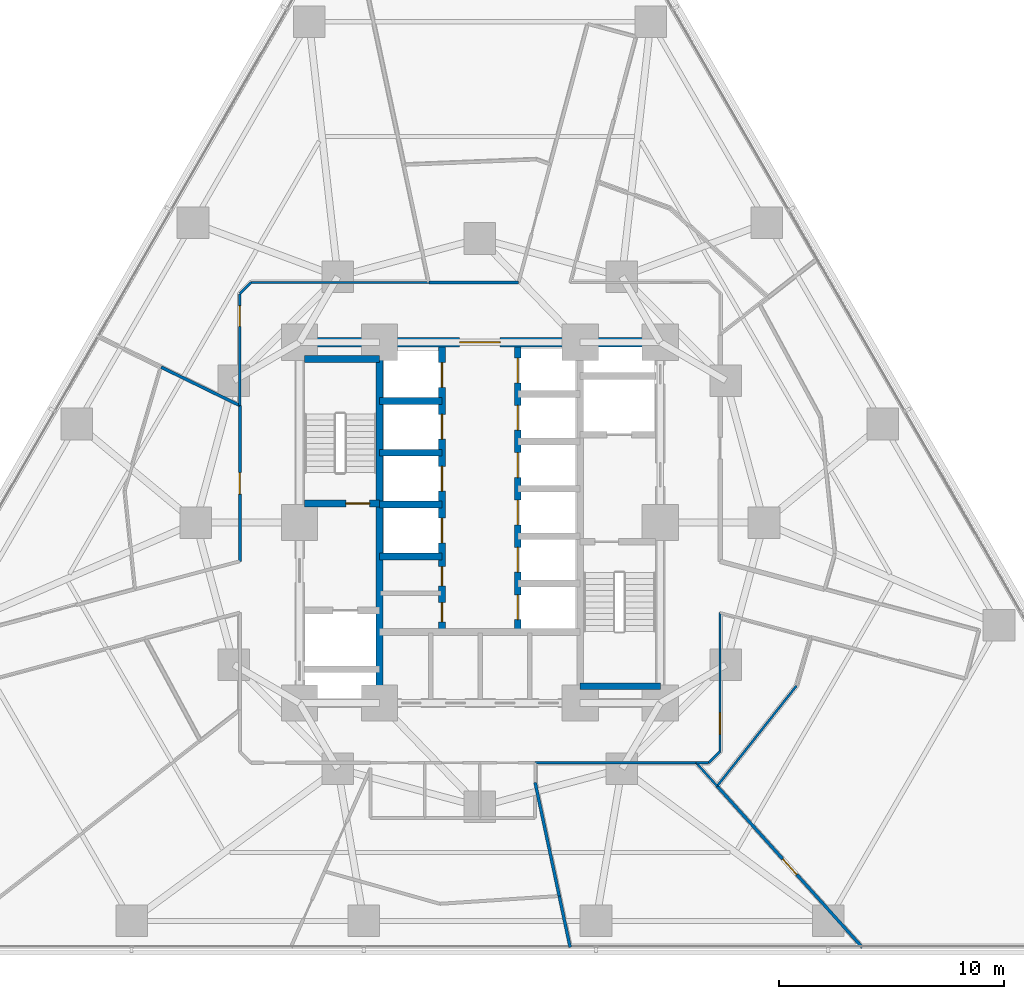
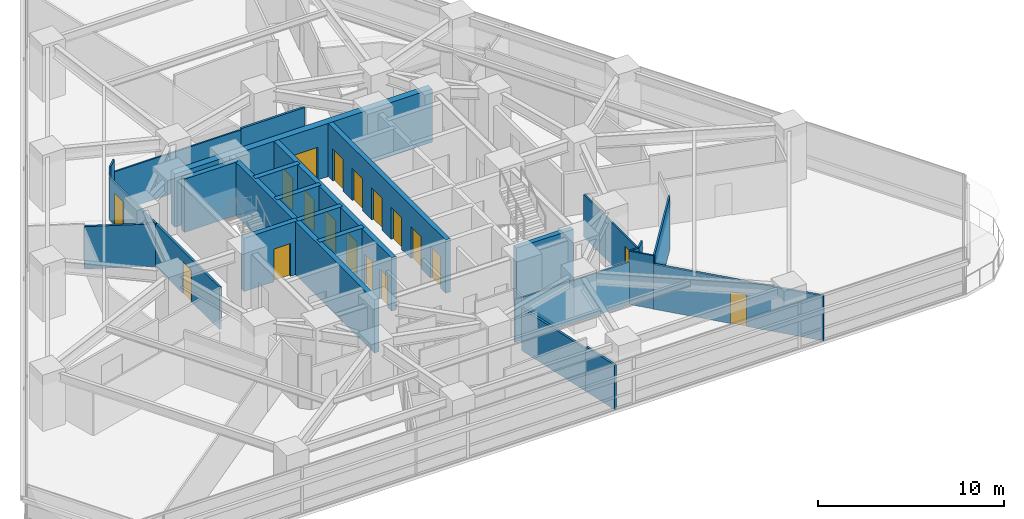
# One storey, part 9 of 15: 26 walls, 18 doors, 18 openings.
"""IFC4 building model written with IfcOpenShell, lengths in metres."""

from ifc_helpers import new_model, si_unit, direction, frame, frame_2d, origin, place, context, subcontext, project, spatial, rectangle, extrude, material, layer, layer_set, type_object, element, fill, save


model = new_model("IFC4")

# Units and contexts
model_context = context("Model", 3, precision=1e-05, world=origin(), true_north=direction((0.0, 1.0)))
body_context = subcontext(model_context, "Body", "Model", "MODEL_VIEW")
ifc_project = project(units=[si_unit("LENGTHUNIT", "METRE"), si_unit("AREAUNIT", "SQUARE_METRE"), si_unit("VOLUMEUNIT", "CUBIC_METRE"), si_unit("PLANEANGLEUNIT", "RADIAN"), si_unit("MASSUNIT", "GRAM", prefix="KILO")], contexts=[model_context])

# Site, building, storey
site_placement = place(None, origin())
site = spatial("IfcSite", under=ifc_project, at=site_placement, CompositionType="ELEMENT")
building_placement = place(site_placement, origin())
building = spatial("IfcBuilding", under=site, at=building_placement, Name="Terralouvre Media Tower", CompositionType="ELEMENT")
storey_placement = place(building_placement, frame((0.0, 0.0, 48.199951171875)))
storey = spatial("IfcBuildingStorey", under=building, at=storey_placement, Name="L11", CompositionType="ELEMENT", Elevation=48.199951171875)

# Wall
ifc_material_1 = material(Name="Concrete C50/60", Category="concrete")
ifc_layer_1 = layer(ifc_material_1, 0.300048828125, Name="Core Internal Shaft Wall CW-300")
ifc_layer_set_1 = layer_set([ifc_layer_1], Name="Concrete C50/60")
wall_type_1 = type_object("IfcWallType", Name="Core Internal Shaft Wall CW-300", PredefinedType="SHEAR", material=ifc_layer_set_1)
wall_1_placement = place(storey_placement, frame((-4.449951171875, -7.7900390625, 0.0), z_axis=(0.0, 0.0, 1.0), x_axis=(0.0, 1.0, 0.0)))
element("IfcWall", 1, at=wall_1_placement, inside=storey, type_object=wall_type_1, Name="L11 Core Shaft Wall SPW", PredefinedType="SHEAR", context=body_context, shape_type="SweptSolid", body=[
    extrude(rectangle(XDim=15.580078125, YDim=0.300048828125, at=frame_2d((7.7900390625, 0.0))), origin(), (0.0, 0.0, 1.0), 3.5),
])

# Wall, opening, door
wall_2_placement = place(storey_placement, frame((-7.7900390625, 0.85009765625, 0.0), z_axis=(0.0, 0.0, 1.0), x_axis=(1.0, 0.0, 0.0)))
wall_2 = element("IfcWall", 2, at=wall_2_placement, inside=storey, type_object=wall_type_1, Name="L11 Core Shaft Wall ST1D", PredefinedType="SHEAR", context=body_context, shape_type="SweptSolid", body=[
    extrude(rectangle(XDim=3.340087890625, YDim=0.300048828125, at=frame_2d((1.669921875, 0.0))), origin(), (0.0, 0.0, 1.0), 3.5),
])
opening_1_placement = place(wall_2_placement, frame((1.85009765625, 0.0, 0.0)))
opening_1 = element("IfcOpeningElement", 3, at=opening_1_placement, cuts=wall_2, Name="Opening FD-01-105X215", PredefinedType="OPENING", context=body_context, shape_type="SweptSolid", body=[
    extrude(rectangle(XDim=1.050048828125, YDim=2.14990234375, at=frame_2d((0.52490234375, 1.074951171875))), frame((0.0, 0.159912109375, 0.0), z_axis=(0.0, -1.0, 0.0), x_axis=(1.0, 0.0, 0.0)), (0.0, 0.0, 1.0), 0.320068359375),
])
ifc_material_2 = material(Name="Galvanised steel fire-resisting leaf", Category="steel")
door_type_1 = type_object("IfcDoorType", Name="Stair and Firefighting Lobby Fire Door FD-01 (1050x2150)", OperationType="NOTDEFINED", PredefinedType="DOOR", material=ifc_material_2)
door_1_placement = place(opening_1_placement, origin())
door_1 = element("IfcDoor", 4, at=door_1_placement, inside=storey, type_object=door_type_1, Name="L11 ST-01 Exit Stair Door", OperationType="SINGLE_SWING_LEFT", OverallHeight=2.14990234375, OverallWidth=1.050048828125, PredefinedType="DOOR", context=body_context, shape_type="SweptSolid", body=[
    extrude(rectangle(XDim=1.050048828125, YDim=2.14990234375, at=frame_2d((0.52490234375, 1.074951171875))), frame((0.0, 0.02490234375, 0.0), z_axis=(0.0, -1.0, 0.0), x_axis=(1.0, 0.0, 0.0)), (0.0, 0.0, 1.0), 0.050048828125),
])
fill(opening_1, door_1)

# Walls
wall_3_placement = place(storey_placement, frame((-7.7900390625, 7.260009765625, 0.0), z_axis=(0.0, 0.0, 1.0), x_axis=(1.0, 0.0, 0.0)))
element("IfcWall", 5, at=wall_3_placement, inside=storey, type_object=wall_type_1, Name="L11 Core Shaft Wall ST1F", PredefinedType="SHEAR", context=body_context, shape_type="SweptSolid", body=[
    extrude(rectangle(XDim=3.340087890625, YDim=0.300048828125, at=frame_2d((1.669921875, 0.0))), origin(), (0.0, 0.0, 1.0), 3.5),
])
wall_4_placement = place(storey_placement, frame((4.449951171875, -7.260009765625, 0.0), z_axis=(0.0, 0.0, 1.0), x_axis=(1.0, 0.0, 0.0)))
element("IfcWall", 6, at=wall_4_placement, inside=storey, type_object=wall_type_1, Name="L11 Core Shaft Wall ST2F", PredefinedType="SHEAR", context=body_context, shape_type="SweptSolid", body=[
    extrude(rectangle(XDim=3.550048828125, YDim=0.300048828125, at=frame_2d((1.77490234375, 0.0))), origin(), (0.0, 0.0, 1.0), 3.5),
])

# Wall, openings, doors
wall_5_placement = place(storey_placement, frame((-1.679931640625, -4.85009765625, 0.0), z_axis=(0.0, 0.0, 1.0), x_axis=(0.0, 1.0, 0.0)))
wall_5 = element("IfcWall", 7, at=wall_5_placement, inside=storey, type_object=wall_type_1, Name="L11 Core Shaft Wall LBW", PredefinedType="SHEAR", context=body_context, shape_type="SweptSolid", body=[
    extrude(rectangle(XDim=12.64013671875, YDim=0.300048828125, at=frame_2d((6.320068359375, 0.0))), origin(), (0.0, 0.0, 1.0), 3.5),
])
opening_2_placement = place(wall_5_placement, frame((3.949951171875, 0.0, 0.0)))
opening_2 = element("IfcOpeningElement", 8, at=opening_2_placement, cuts=wall_5, Name="Opening LD-PL", PredefinedType="OPENING", context=body_context, shape_type="SweptSolid", body=[
    extrude(rectangle(XDim=1.10009765625, YDim=2.10009765625, at=frame_2d((0.550048828125, 1.050048828125))), frame((0.0, 0.159912109375, 0.0), z_axis=(0.0, -1.0, 0.0), x_axis=(1.0, 0.0, 0.0)), (0.0, 0.0, 1.0), 0.320068359375),
])
opening_3_placement = place(wall_5_placement, frame((6.25, 0.0, 0.0)))
opening_3 = element("IfcOpeningElement", 9, at=opening_3_placement, cuts=wall_5, Name="Opening LD-PL", PredefinedType="OPENING", context=body_context, shape_type="SweptSolid", body=[
    extrude(rectangle(XDim=1.10009765625, YDim=2.10009765625, at=frame_2d((0.550048828125, 1.050048828125))), frame((0.0, 0.159912109375, 0.0), z_axis=(0.0, -1.0, 0.0), x_axis=(1.0, 0.0, 0.0)), (0.0, 0.0, 1.0), 0.320068359375),
])
opening_4_placement = place(wall_5_placement, frame((8.550048828125, 0.0, 0.0)))
opening_4 = element("IfcOpeningElement", 10, at=opening_4_placement, cuts=wall_5, Name="Opening LD-PL", PredefinedType="OPENING", context=body_context, shape_type="SweptSolid", body=[
    extrude(rectangle(XDim=1.10009765625, YDim=2.10009765625, at=frame_2d((0.550048828125, 1.050048828125))), frame((0.0, 0.159912109375, 0.0), z_axis=(0.0, -1.0, 0.0), x_axis=(1.0, 0.0, 0.0)), (0.0, 0.0, 1.0), 0.320068359375),
])
opening_5_placement = place(wall_5_placement, frame((10.85009765625, 0.0, 0.0)))
opening_5 = element("IfcOpeningElement", 11, at=opening_5_placement, cuts=wall_5, Name="Opening LD-PL", PredefinedType="OPENING", context=body_context, shape_type="SweptSolid", body=[
    extrude(rectangle(XDim=1.10009765625, YDim=2.10009765625, at=frame_2d((0.550048828125, 1.050048828125))), frame((0.0, 0.159912109375, 0.0), z_axis=(0.0, -1.0, 0.0), x_axis=(1.0, 0.0, 0.0)), (0.0, 0.0, 1.0), 0.320068359375),
])
opening_6_placement = place(wall_5_placement, frame((0.449951171875, 0.0, 0.0)))
opening_6 = element("IfcOpeningElement", 12, at=opening_6_placement, cuts=wall_5, Name="Opening TD-R1", PredefinedType="OPENING", context=body_context, shape_type="SweptSolid", body=[
    extrude(rectangle(XDim=0.85009765625, YDim=2.02001953125, at=frame_2d((0.425048828125, 1.010009765625))), frame((0.0, 0.159912109375, 0.0), z_axis=(0.0, -1.0, 0.0), x_axis=(1.0, 0.0, 0.0)), (0.0, 0.0, 1.0), 0.320068359375),
])
opening_7_placement = place(wall_5_placement, frame((2.050048828125, 0.0, 0.0)))
opening_7 = element("IfcOpeningElement", 13, at=opening_7_placement, cuts=wall_5, Name="Opening TD-R1", PredefinedType="OPENING", context=body_context, shape_type="SweptSolid", body=[
    extrude(rectangle(XDim=0.85009765625, YDim=2.02001953125, at=frame_2d((0.425048828125, 1.010009765625))), frame((0.0, 0.159912109375, 0.0), z_axis=(0.0, -1.0, 0.0), x_axis=(1.0, 0.0, 0.0)), (0.0, 0.0, 1.0), 0.320068359375),
])
ifc_material_3 = material(Name="Stainless steel 316 handrail and balustrade", Category="steel")
door_type_2 = type_object("IfcDoorType", Name="Passenger Lift Sliding Landing Door LD-PL", OperationType="SLIDING_TO_LEFT", PredefinedType="DOOR", material=ifc_material_3)
door_2_placement = place(opening_2_placement, origin())
door_2 = element("IfcDoor", 14, at=door_2_placement, inside=storey, type_object=door_type_2, Name="L11 Low-Rise Lift PL-L1 Landing Door", OperationType="SLIDING_TO_LEFT", OverallHeight=2.10009765625, OverallWidth=1.10009765625, PredefinedType="DOOR", context=body_context, shape_type="SweptSolid", body=[
    extrude(rectangle(XDim=1.10009765625, YDim=2.10009765625, at=frame_2d((0.550048828125, 1.050048828125))), frame((0.0, 0.02490234375, 0.0), z_axis=(0.0, -1.0, 0.0), x_axis=(1.0, 0.0, 0.0)), (0.0, 0.0, 1.0), 0.050048828125),
])
fill(opening_2, door_2)
door_3_placement = place(opening_3_placement, origin())
door_3 = element("IfcDoor", 15, at=door_3_placement, inside=storey, type_object=door_type_2, Name="L11 Low-Rise Lift PL-L2 Landing Door", OperationType="SLIDING_TO_LEFT", OverallHeight=2.10009765625, OverallWidth=1.10009765625, PredefinedType="DOOR", context=body_context, shape_type="SweptSolid", body=[
    extrude(rectangle(XDim=1.10009765625, YDim=2.10009765625, at=frame_2d((0.550048828125, 1.050048828125))), frame((0.0, 0.02490234375, 0.0), z_axis=(0.0, -1.0, 0.0), x_axis=(1.0, 0.0, 0.0)), (0.0, 0.0, 1.0), 0.050048828125),
])
fill(opening_3, door_3)
door_4_placement = place(opening_4_placement, origin())
door_4 = element("IfcDoor", 16, at=door_4_placement, inside=storey, type_object=door_type_2, Name="L11 Low-Rise Lift PL-L3 Landing Door", OperationType="SLIDING_TO_LEFT", OverallHeight=2.10009765625, OverallWidth=1.10009765625, PredefinedType="DOOR", context=body_context, shape_type="SweptSolid", body=[
    extrude(rectangle(XDim=1.10009765625, YDim=2.10009765625, at=frame_2d((0.550048828125, 1.050048828125))), frame((0.0, 0.02490234375, 0.0), z_axis=(0.0, -1.0, 0.0), x_axis=(1.0, 0.0, 0.0)), (0.0, 0.0, 1.0), 0.050048828125),
])
fill(opening_4, door_4)
door_5_placement = place(opening_5_placement, origin())
door_5 = element("IfcDoor", 17, at=door_5_placement, inside=storey, type_object=door_type_2, Name="L11 Low-Rise Lift PL-L4 Landing Door", OperationType="SLIDING_TO_LEFT", OverallHeight=2.10009765625, OverallWidth=1.10009765625, PredefinedType="DOOR", context=body_context, shape_type="SweptSolid", body=[
    extrude(rectangle(XDim=1.10009765625, YDim=2.10009765625, at=frame_2d((0.550048828125, 1.050048828125))), frame((0.0, 0.02490234375, 0.0), z_axis=(0.0, -1.0, 0.0), x_axis=(1.0, 0.0, 0.0)), (0.0, 0.0, 1.0), 0.050048828125),
])
fill(opening_5, door_5)
ifc_material_4 = material(Name="Galvanised steel fire-resisting leaf", Category="steel")
door_type_3 = type_object("IfcDoorType", Name="Riser Inspection Access Trapdoor TD-R1", OperationType="NOTDEFINED", PredefinedType="TRAPDOOR", material=ifc_material_4)
door_6_placement = place(opening_6_placement, origin())
door_6 = element("IfcDoor", 18, at=door_6_placement, inside=storey, type_object=door_type_3, Name="L11 Core Cleaners Closet Door", OperationType="SINGLE_SWING_LEFT", OverallHeight=2.02001953125, OverallWidth=0.85009765625, PredefinedType="TRAPDOOR", context=body_context, shape_type="SweptSolid", body=[
    extrude(rectangle(XDim=0.85009765625, YDim=2.02001953125, at=frame_2d((0.425048828125, 1.010009765625))), frame((0.0, 0.02490234375, 0.0), z_axis=(0.0, -1.0, 0.0), x_axis=(1.0, 0.0, 0.0)), (0.0, 0.0, 1.0), 0.050048828125),
])
fill(opening_6, door_6)
door_7_placement = place(opening_7_placement, origin())
door_7 = element("IfcDoor", 19, at=door_7_placement, inside=storey, type_object=door_type_3, Name="L11 Core Metering Closet Door", OperationType="SINGLE_SWING_RIGHT", OverallHeight=2.02001953125, OverallWidth=0.85009765625, PredefinedType="TRAPDOOR", context=body_context, shape_type="SweptSolid", body=[
    extrude(rectangle(XDim=0.85009765625, YDim=2.02001953125, at=frame_2d((0.425048828125, 1.010009765625))), frame((0.0, 0.02490234375, 0.0), z_axis=(0.0, -1.0, 0.0), x_axis=(1.0, 0.0, 0.0)), (0.0, 0.0, 1.0), 0.050048828125),
])
fill(opening_7, door_7)

wall_6_placement = place(storey_placement, frame((1.679931640625, -4.85009765625, 0.0), z_axis=(0.0, 0.0, 1.0), x_axis=(0.0, 1.0, 0.0)))
wall_6 = element("IfcWall", 20, at=wall_6_placement, inside=storey, type_object=wall_type_1, Name="L11 Core Shaft Wall LBE", PredefinedType="SHEAR", context=body_context, shape_type="SweptSolid", body=[
    extrude(rectangle(XDim=12.64013671875, YDim=0.300048828125, at=frame_2d((6.320068359375, 0.0))), origin(), (0.0, 0.0, 1.0), 3.5),
])
opening_8_placement = place(wall_6_placement, frame((0.550048828125, 0.0, 0.0)))
opening_8 = element("IfcOpeningElement", 21, at=opening_8_placement, cuts=wall_6, Name="Opening LD-PL", PredefinedType="OPENING", context=body_context, shape_type="SweptSolid", body=[
    extrude(rectangle(XDim=1.10009765625, YDim=2.10009765625, at=frame_2d((0.550048828125, 1.050048828125))), frame((0.0, 0.159912109375, 0.0), z_axis=(0.0, -1.0, 0.0), x_axis=(1.0, 0.0, 0.0)), (0.0, 0.0, 1.0), 0.320068359375),
])
opening_9_placement = place(wall_6_placement, frame((2.64990234375, 0.0, 0.0)))
opening_9 = element("IfcOpeningElement", 22, at=opening_9_placement, cuts=wall_6, Name="Opening LD-PL", PredefinedType="OPENING", context=body_context, shape_type="SweptSolid", body=[
    extrude(rectangle(XDim=1.10009765625, YDim=2.10009765625, at=frame_2d((0.550048828125, 1.050048828125))), frame((0.0, 0.159912109375, 0.0), z_axis=(0.0, -1.0, 0.0), x_axis=(1.0, 0.0, 0.0)), (0.0, 0.0, 1.0), 0.320068359375),
])
opening_10_placement = place(wall_6_placement, frame((4.75, 0.0, 0.0)))
opening_10 = element("IfcOpeningElement", 23, at=opening_10_placement, cuts=wall_6, Name="Opening LD-PL", PredefinedType="OPENING", context=body_context, shape_type="SweptSolid", body=[
    extrude(rectangle(XDim=1.10009765625, YDim=2.10009765625, at=frame_2d((0.550048828125, 1.050048828125))), frame((0.0, 0.159912109375, 0.0), z_axis=(0.0, -1.0, 0.0), x_axis=(1.0, 0.0, 0.0)), (0.0, 0.0, 1.0), 0.320068359375),
])
opening_11_placement = place(wall_6_placement, frame((6.85009765625, 0.0, 0.0)))
opening_11 = element("IfcOpeningElement", 24, at=opening_11_placement, cuts=wall_6, Name="Opening LD-PL", PredefinedType="OPENING", context=body_context, shape_type="SweptSolid", body=[
    extrude(rectangle(XDim=1.10009765625, YDim=2.10009765625, at=frame_2d((0.550048828125, 1.050048828125))), frame((0.0, 0.159912109375, 0.0), z_axis=(0.0, -1.0, 0.0), x_axis=(1.0, 0.0, 0.0)), (0.0, 0.0, 1.0), 0.320068359375),
])
opening_12_placement = place(wall_6_placement, frame((8.949951171875, 0.0, 0.0)))
opening_12 = element("IfcOpeningElement", 25, at=opening_12_placement, cuts=wall_6, Name="Opening LD-PL", PredefinedType="OPENING", context=body_context, shape_type="SweptSolid", body=[
    extrude(rectangle(XDim=1.10009765625, YDim=2.10009765625, at=frame_2d((0.550048828125, 1.050048828125))), frame((0.0, 0.159912109375, 0.0), z_axis=(0.0, -1.0, 0.0), x_axis=(1.0, 0.0, 0.0)), (0.0, 0.0, 1.0), 0.320068359375),
])
opening_13_placement = place(wall_6_placement, frame((11.050048828125, 0.0, 0.0)))
opening_13 = element("IfcOpeningElement", 26, at=opening_13_placement, cuts=wall_6, Name="Opening LD-PL", PredefinedType="OPENING", context=body_context, shape_type="SweptSolid", body=[
    extrude(rectangle(XDim=1.10009765625, YDim=2.10009765625, at=frame_2d((0.550048828125, 1.050048828125))), frame((0.0, 0.159912109375, 0.0), z_axis=(0.0, -1.0, 0.0), x_axis=(1.0, 0.0, 0.0)), (0.0, 0.0, 1.0), 0.320068359375),
])
door_8_placement = place(opening_8_placement, origin())
door_8 = element("IfcDoor", 27, at=door_8_placement, inside=storey, type_object=door_type_2, Name="L11 High-Rise Lift PL-H1 Landing Door", OperationType="SLIDING_TO_LEFT", OverallHeight=2.10009765625, OverallWidth=1.10009765625, PredefinedType="DOOR", context=body_context, shape_type="SweptSolid", body=[
    extrude(rectangle(XDim=1.10009765625, YDim=2.10009765625, at=frame_2d((0.550048828125, 1.050048828125))), frame((0.0, 0.02490234375, 0.0), z_axis=(0.0, -1.0, 0.0), x_axis=(1.0, 0.0, 0.0)), (0.0, 0.0, 1.0), 0.050048828125),
])
fill(opening_8, door_8)
door_9_placement = place(opening_9_placement, origin())
door_9 = element("IfcDoor", 28, at=door_9_placement, inside=storey, type_object=door_type_2, Name="L11 High-Rise Lift PL-H2 Landing Door", OperationType="SLIDING_TO_LEFT", OverallHeight=2.10009765625, OverallWidth=1.10009765625, PredefinedType="DOOR", context=body_context, shape_type="SweptSolid", body=[
    extrude(rectangle(XDim=1.10009765625, YDim=2.10009765625, at=frame_2d((0.550048828125, 1.050048828125))), frame((0.0, 0.02490234375, 0.0), z_axis=(0.0, -1.0, 0.0), x_axis=(1.0, 0.0, 0.0)), (0.0, 0.0, 1.0), 0.050048828125),
])
fill(opening_9, door_9)
door_10_placement = place(opening_10_placement, origin())
door_10 = element("IfcDoor", 29, at=door_10_placement, inside=storey, type_object=door_type_2, Name="L11 High-Rise Lift PL-H3 Landing Door", OperationType="SLIDING_TO_LEFT", OverallHeight=2.10009765625, OverallWidth=1.10009765625, PredefinedType="DOOR", context=body_context, shape_type="SweptSolid", body=[
    extrude(rectangle(XDim=1.10009765625, YDim=2.10009765625, at=frame_2d((0.550048828125, 1.050048828125))), frame((0.0, 0.02490234375, 0.0), z_axis=(0.0, -1.0, 0.0), x_axis=(1.0, 0.0, 0.0)), (0.0, 0.0, 1.0), 0.050048828125),
])
fill(opening_10, door_10)
door_11_placement = place(opening_11_placement, origin())
door_11 = element("IfcDoor", 30, at=door_11_placement, inside=storey, type_object=door_type_2, Name="L11 Mid-Rise Lift PL-M1 Landing Door", OperationType="SLIDING_TO_LEFT", OverallHeight=2.10009765625, OverallWidth=1.10009765625, PredefinedType="DOOR", context=body_context, shape_type="SweptSolid", body=[
    extrude(rectangle(XDim=1.10009765625, YDim=2.10009765625, at=frame_2d((0.550048828125, 1.050048828125))), frame((0.0, 0.02490234375, 0.0), z_axis=(0.0, -1.0, 0.0), x_axis=(1.0, 0.0, 0.0)), (0.0, 0.0, 1.0), 0.050048828125),
])
fill(opening_11, door_11)
door_12_placement = place(opening_12_placement, origin())
door_12 = element("IfcDoor", 31, at=door_12_placement, inside=storey, type_object=door_type_2, Name="L11 Mid-Rise Lift PL-M2 Landing Door", OperationType="SLIDING_TO_LEFT", OverallHeight=2.10009765625, OverallWidth=1.10009765625, PredefinedType="DOOR", context=body_context, shape_type="SweptSolid", body=[
    extrude(rectangle(XDim=1.10009765625, YDim=2.10009765625, at=frame_2d((0.550048828125, 1.050048828125))), frame((0.0, 0.02490234375, 0.0), z_axis=(0.0, -1.0, 0.0), x_axis=(1.0, 0.0, 0.0)), (0.0, 0.0, 1.0), 0.050048828125),
])
fill(opening_12, door_12)
door_13_placement = place(opening_13_placement, origin())
door_13 = element("IfcDoor", 32, at=door_13_placement, inside=storey, type_object=door_type_2, Name="L11 Mid-Rise Lift PL-M3 Landing Door", OperationType="SLIDING_TO_LEFT", OverallHeight=2.10009765625, OverallWidth=1.10009765625, PredefinedType="DOOR", context=body_context, shape_type="SweptSolid", body=[
    extrude(rectangle(XDim=1.10009765625, YDim=2.10009765625, at=frame_2d((0.550048828125, 1.050048828125))), frame((0.0, 0.02490234375, 0.0), z_axis=(0.0, -1.0, 0.0), x_axis=(1.0, 0.0, 0.0)), (0.0, 0.0, 1.0), 0.050048828125),
])
fill(opening_13, door_13)

# Walls
for number, where, z_axis, x_axis, name in (
    (33, (-4.449951171875, -1.5, 0.0), (0.0, 0.0, 1.0), (1.0, 0.0, 0.0), "L11 Core Shaft Wall PLLD0"),
    (34, (-4.449951171875, 0.800048828125, 0.0), (0.0, 0.0, 1.0), (1.0, 0.0, 0.0), "L11 Core Shaft Wall PLLD1"),
    (35, (-4.449951171875, 3.10009765625, 0.0), (0.0, 0.0, 1.0), (1.0, 0.0, 0.0), "L11 Core Shaft Wall PLLD2"),
    (36, (-4.449951171875, 5.39990234375, 0.0), (0.0, 0.0, 1.0), (1.0, 0.0, 0.0), "L11 Core Shaft Wall PLLD3"),
):
    element("IfcWall", number, at=place(storey_placement, frame(where, z_axis=z_axis, x_axis=x_axis)), inside=storey, type_object=wall_type_1, Name=name, PredefinedType="SHEAR", context=body_context, shape_type="SweptSolid", body=[
        extrude(rectangle(XDim=2.77001953125, YDim=0.300048828125, at=frame_2d((1.385009765625, 0.0))), origin(), (0.0, 0.0, 1.0), 3.5),
    ])

# Wall, opening, door
ifc_material_5 = material(Name="Concrete C60/75", Category="concrete")
ifc_layer_2 = layer(ifc_material_5, 0.419921875, Name="Core Reinforced Concrete Shear Wall CW-420")
ifc_layer_set_2 = layer_set([ifc_layer_2], Name="Concrete C60/75")
wall_type_2 = type_object("IfcWallType", Name="Core Reinforced Concrete Shear Wall CW-420", PredefinedType="SHEAR", material=ifc_layer_set_2)
wall_7_placement = place(storey_placement, frame((-8.0, 8.0, 0.0), z_axis=(0.0, 0.0, 1.0), x_axis=(1.0, 0.0, 0.0)))
wall_7 = element("IfcWall", 37, at=wall_7_placement, inside=storey, type_object=wall_type_2, Name="L11 N Core Shear Wall", PredefinedType="SHEAR", context=body_context, shape_type="SweptSolid", body=[
    extrude(rectangle(XDim=16.0, YDim=0.419921875, at=frame_2d((8.0, 0.0))), origin(), (0.0, 0.0, 1.0), 3.5),
])
opening_14_placement = place(wall_7_placement, frame((7.10009765625, 0.0, 0.0)))
opening_14 = element("IfcOpeningElement", 38, at=opening_14_placement, cuts=wall_7, Name="Opening FD-03", PredefinedType="OPENING", context=body_context, shape_type="SweptSolid", body=[
    extrude(rectangle(XDim=1.800048828125, YDim=2.14990234375, at=frame_2d((0.89990234375, 1.074951171875))), frame((0.0, 0.219970703125, 0.0), z_axis=(0.0, -1.0, 0.0), x_axis=(1.0, 0.0, 0.0)), (0.0, 0.0, 1.0), 0.43994140625),
])
ifc_material_6 = material(Name="Galvanised steel fire-resisting leaf", Category="steel")
door_type_4 = type_object("IfcDoorType", Name="Corridor Smoke-Control Double Door FD-03", OperationType="DOUBLE_DOOR_SINGLE_SWING", PredefinedType="DOOR", material=ifc_material_6)
door_14_placement = place(opening_14_placement, origin())
door_14 = element("IfcDoor", 39, at=door_14_placement, inside=storey, type_object=door_type_4, Name="L11 Central Lift Lobby Portal Door", OperationType="DOUBLE_DOOR_SINGLE_SWING", OverallHeight=2.14990234375, OverallWidth=1.800048828125, PredefinedType="DOOR", context=body_context, shape_type="SweptSolid", body=[
    extrude(rectangle(XDim=1.800048828125, YDim=2.14990234375, at=frame_2d((0.89990234375, 1.074951171875))), frame((0.0, 0.02490234375, 0.0), z_axis=(0.0, -1.0, 0.0), x_axis=(1.0, 0.0, 0.0)), (0.0, 0.0, 1.0), 0.050048828125),
])
fill(opening_14, door_14)

# Walls
ifc_material_7 = material(Name="Low-iron laminated double glazing with solar-control coating", Category="glass")
ifc_layer_3 = layer(ifc_material_7, 0.10009765625, Name="Demountable Glazed Office Partition PT-GL100")
ifc_layer_set_3 = layer_set([ifc_layer_3], Name="Low-iron laminated double glazing with solar-control coating")
wall_type_3 = type_object("IfcWallType", Name="Demountable Glazed Office Partition PT-GL100", PredefinedType="MOVABLE", material=ifc_layer_set_3)
wall_8_placement = place(storey_placement, frame((9.589111328125, -10.64990234375, 0.0), z_axis=(0.0, 0.0, 1.0), x_axis=(1.0, 0.0, 0.0)))
element("IfcWall", 40, at=wall_8_placement, inside=storey, type_object=wall_type_3, Name="L11 Interior Partition 005", PredefinedType="MOVABLE", context=body_context, shape_type="SweptSolid", body=[
    extrude(rectangle(XDim=0.560791015625, YDim=0.10009765625, at=frame_2d((0.2802734375, 0.0))), origin(), (0.0, 0.0, 1.0), 3.5),
])
wall_9_placement = place(storey_placement, frame((10.14990234375, -10.64990234375, 0.0), z_axis=(0.0, 0.0, 1.0), x_axis=(0.707106781187, 0.707106781187, 0.0)))
element("IfcWall", 41, at=wall_9_placement, inside=storey, type_object=wall_type_3, Name="L11 Interior Partition 006", PredefinedType="MOVABLE", context=body_context, shape_type="SweptSolid", body=[
    extrude(rectangle(XDim=0.70703125, YDim=0.10009765625, at=frame_2d((0.353515625, 0.0))), origin(), (0.0, 0.0, 1.0), 3.5),
])

# Wall, opening, door
wall_10_placement = place(storey_placement, frame((10.64990234375, -10.14990234375, 0.0), z_axis=(0.0, 0.0, 1.0), x_axis=(0.0, 1.0, 0.0)))
wall_10 = element("IfcWall", 42, at=wall_10_placement, inside=storey, type_object=wall_type_3, Name="L11 Interior Partition 007", PredefinedType="MOVABLE", context=body_context, shape_type="SweptSolid", body=[
    extrude(rectangle(XDim=6.157958984375, YDim=0.10009765625, at=frame_2d((3.0791015625, 0.0))), origin(), (0.0, 0.0, 1.0), 2.78515625),
])
opening_15_placement = place(wall_10_placement, frame((0.756591796875, 0.0, 0.0)))
opening_15 = element("IfcOpeningElement", 43, at=opening_15_placement, cuts=wall_10, Name="Opening ID-02-95X210", PredefinedType="OPENING", context=body_context, shape_type="SweptSolid", body=[
    extrude(rectangle(XDim=0.949951171875, YDim=2.10009765625, at=frame_2d((0.47509765625, 1.050048828125))), frame((0.0, 0.06005859375, 0.0), z_axis=(0.0, -1.0, 0.0), x_axis=(1.0, 0.0, 0.0)), (0.0, 0.0, 1.0), 0.1201171875),
])
ifc_material_8 = material(Name="Engineered hardwood acoustic timber leaf", Category="wood")
door_type_5 = type_object("IfcDoorType", Name="Office and Meeting Room Door ID-02 (950x2100)", OperationType="NOTDEFINED", PredefinedType="DOOR", material=ifc_material_8)
door_15_placement = place(opening_15_placement, origin())
door_15 = element("IfcDoor", 44, at=door_15_placement, inside=storey, type_object=door_type_5, Name="L11 Digital Editing Lecture Room 2 Door", OperationType="SINGLE_SWING_LEFT", OverallHeight=2.10009765625, OverallWidth=0.949951171875, PredefinedType="DOOR", context=body_context, shape_type="SweptSolid", body=[
    extrude(rectangle(XDim=0.949951171875, YDim=2.10009765625, at=frame_2d((0.47509765625, 1.050048828125))), frame((0.0, 0.02490234375, 0.0), z_axis=(0.0, -1.0, 0.0), x_axis=(1.0, 0.0, 0.0)), (0.0, 0.0, 1.0), 0.050048828125),
])
fill(opening_15, door_15)

# Walls
wall_11_placement = place(storey_placement, frame((2.449951171875, -10.64990234375, 0.0), z_axis=(0.0, 0.0, 1.0), x_axis=(1.0, 0.0, 0.0)))
element("IfcWall", 45, at=wall_11_placement, inside=storey, type_object=wall_type_3, Name="L11 Interior Partition 032", PredefinedType="MOVABLE", context=body_context, shape_type="SweptSolid", body=[
    extrude(rectangle(XDim=7.13916015625, YDim=0.10009765625, at=frame_2d((3.569580078125, 0.0))), origin(), (0.0, 0.0, 1.0), 2.78515625),
])
wall_12_placement = place(storey_placement, frame((-2.263916015625, 10.64990234375, 0.0), z_axis=(0.0, 0.0, 1.0), x_axis=(-1.0, 0.0, 0.0)))
element("IfcWall", 46, at=wall_12_placement, inside=storey, type_object=wall_type_3, Name="L11 Interior Partition 033", PredefinedType="MOVABLE", context=body_context, shape_type="SweptSolid", body=[
    extrude(rectangle(XDim=7.885986328125, YDim=0.10009765625, at=frame_2d((3.94287109375, 0.0))), origin(), (0.0, 0.0, 1.0), 2.68505859375),
])
wall_13_placement = place(storey_placement, frame((-10.14990234375, 10.64990234375, 0.0), z_axis=(0.0, 0.0, 1.0), x_axis=(-0.707106781187, -0.707106781187, 0.0)))
element("IfcWall", 47, at=wall_13_placement, inside=storey, type_object=wall_type_3, Name="L11 Interior Partition 034", PredefinedType="MOVABLE", context=body_context, shape_type="SweptSolid", body=[
    extrude(rectangle(XDim=0.70703125, YDim=0.10009765625, at=frame_2d((0.353515625, 0.0))), origin(), (0.0, 0.0, 1.0), 3.5),
])

# Wall, opening, door
wall_14_placement = place(storey_placement, frame((-10.64990234375, 10.14990234375, 0.0), z_axis=(0.0, 0.0, 1.0), x_axis=(0.0, -1.0, 0.0)))
wall_14 = element("IfcWall", 48, at=wall_14_placement, inside=storey, type_object=wall_type_3, Name="L11 Interior Partition 035", PredefinedType="MOVABLE", context=body_context, shape_type="SweptSolid", body=[
    extrude(rectangle(XDim=4.955810546875, YDim=0.10009765625, at=frame_2d((2.47802734375, 0.0))), origin(), (0.0, 0.0, 1.0), 2.78515625),
])
opening_16_placement = place(wall_14_placement, frame((0.53125, 0.0, 0.0)))
opening_16 = element("IfcOpeningElement", 49, at=opening_16_placement, cuts=wall_14, Name="Opening ID-03-92X210", PredefinedType="OPENING", context=body_context, shape_type="SweptSolid", body=[
    extrude(rectangle(XDim=0.919921875, YDim=2.10009765625, at=frame_2d((0.4599609375, 1.050048828125))), frame((0.0, 0.06005859375, 0.0), z_axis=(0.0, -1.0, 0.0), x_axis=(1.0, 0.0, 0.0)), (0.0, 0.0, 1.0), 0.1201171875),
])
ifc_material_9 = material(Name="Engineered hardwood acoustic timber leaf", Category="wood")
door_type_6 = type_object("IfcDoorType", Name="Accessible Restroom and Suite Door ID-03 (920x2100)", OperationType="NOTDEFINED", PredefinedType="DOOR", material=ifc_material_9)
door_16_placement = place(opening_16_placement, origin())
door_16 = element("IfcDoor", 50, at=door_16_placement, inside=storey, type_object=door_type_6, Name="L11 Broadcast Ethics Seminar Room 14 Door", OperationType="SINGLE_SWING_LEFT", OverallHeight=2.10009765625, OverallWidth=0.919921875, PredefinedType="DOOR", context=body_context, shape_type="SweptSolid", body=[
    extrude(rectangle(XDim=0.919921875, YDim=2.10009765625, at=frame_2d((0.4599609375, 1.050048828125))), frame((0.0, 0.02490234375, 0.0), z_axis=(0.0, -1.0, 0.0), x_axis=(1.0, 0.0, 0.0)), (0.0, 0.0, 1.0), 0.050048828125),
])
fill(opening_16, door_16)

# Walls
wall_15_placement = place(storey_placement, frame((10.52197265625, -11.68603515625, 0.0), z_axis=(0.0, 0.0, 1.0), x_axis=(0.620628051287, 0.784105108997, 0.0)))
element("IfcWall", 51, at=wall_15_placement, inside=storey, type_object=wall_type_3, Name="L11 Interior Partition 040", PredefinedType="MOVABLE", context=body_context, shape_type="SweptSolid", body=[
    extrude(rectangle(XDim=5.677978515625, YDim=0.10009765625, at=frame_2d((2.8388671875, 0.0))), origin(), (0.0, 0.0, 1.0), 3.5),
])
wall_16_placement = place(storey_placement, frame((9.589111328125, -10.64990234375, 0.0), z_axis=(0.0, 0.0, 1.0), x_axis=(0.669100165698, -0.743172233243, 0.0)))
element("IfcWall", 52, at=wall_16_placement, inside=storey, type_object=wall_type_3, Name="L11 Interior Partition 042", PredefinedType="MOVABLE", context=body_context, shape_type="SweptSolid", body=[
    extrude(rectangle(XDim=1.394287109375, YDim=0.10009765625, at=frame_2d((0.697265625, 0.0))), origin(), (0.0, 0.0, 1.0), 3.5),
])
ifc_material_10 = material(Name="Fire-rated gypsum board drywall partition")
ifc_layer_4 = layer(ifc_material_10, 0.135009765625, Name="Newsroom Acoustic Partition PT-135")
ifc_layer_set_4 = layer_set([ifc_layer_4], Name="Fire-rated gypsum board drywall partition")
wall_type_4 = type_object("IfcWallType", Name="Newsroom Acoustic Partition PT-135", PredefinedType="PARTITIONING", material=ifc_layer_set_4)
wall_17_placement = place(storey_placement, frame((1.715087890625, 10.64990234375, 0.0), z_axis=(0.0, 0.0, 1.0), x_axis=(-1.0, 0.0, 0.0)))
element("IfcWall", 53, at=wall_17_placement, inside=storey, type_object=wall_type_4, Name="L11 Interior Partition 018", PredefinedType="PARTITIONING", context=body_context, shape_type="SweptSolid", body=[
    extrude(rectangle(XDim=3.97900390625, YDim=0.135009765625, at=frame_2d((1.989501953125, 0.0))), origin(), (0.0, 0.0, 1.0), 2.78515625),
])

# Wall, opening, door
wall_18_placement = place(storey_placement, frame((-10.64990234375, 5.194091796875, 0.0), z_axis=(0.0, 0.0, 1.0), x_axis=(0.0, -1.0, 0.0)))
wall_18 = element("IfcWall", 54, at=wall_18_placement, inside=storey, type_object=wall_type_4, Name="L11 Interior Partition 024", PredefinedType="PARTITIONING", context=body_context, shape_type="SweptSolid", body=[
    extrude(rectangle(XDim=6.9091796875, YDim=0.135009765625, at=frame_2d((3.45458984375, 0.0))), origin(), (0.0, 0.0, 1.0), 2.78515625),
])
opening_17_placement = place(wall_18_placement, frame((2.9794921875, 0.0, 0.0)))
opening_17 = element("IfcOpeningElement", 55, at=opening_17_placement, cuts=wall_18, Name="Opening ID-02-95X210", PredefinedType="OPENING", context=body_context, shape_type="SweptSolid", body=[
    extrude(rectangle(XDim=0.949951171875, YDim=2.10009765625, at=frame_2d((0.47509765625, 1.050048828125))), frame((0.0, 0.077392578125, 0.0), z_axis=(0.0, -1.0, 0.0), x_axis=(1.0, 0.0, 0.0)), (0.0, 0.0, 1.0), 0.155029296875),
])
door_17_placement = place(opening_17_placement, origin())
door_17 = element("IfcDoor", 56, at=door_17_placement, inside=storey, type_object=door_type_5, Name="L11 Curriculum Archive Storage 9 Door", OperationType="SINGLE_SWING_RIGHT", OverallHeight=2.10009765625, OverallWidth=0.949951171875, PredefinedType="DOOR", context=body_context, shape_type="SweptSolid", body=[
    extrude(rectangle(XDim=0.949951171875, YDim=2.10009765625, at=frame_2d((0.47509765625, 1.050048828125))), frame((0.0, 0.02490234375, 0.0), z_axis=(0.0, -1.0, 0.0), x_axis=(1.0, 0.0, 0.0)), (0.0, 0.0, 1.0), 0.050048828125),
])
fill(opening_17, door_17)

wall_19_placement = place(storey_placement, frame((10.52197265625, -11.68603515625, 0.0), z_axis=(0.0, 0.0, 1.0), x_axis=(0.669132925935, -0.743142736915, 0.0)))
wall_19 = element("IfcWall", 57, at=wall_19_placement, inside=storey, type_object=wall_type_4, Name="L11 Interior Partition 052", PredefinedType="PARTITIONING", context=body_context, shape_type="SweptSolid", body=[
    extrude(rectangle(XDim=9.62255859375, YDim=0.135009765625, at=frame_2d((4.811279296875, 0.0))), origin(), (0.0, 0.0, 1.0), 2.93505859375),
])
opening_18_placement = place(wall_19_placement, frame((4.351318359375, 0.0, 0.0)))
opening_18 = element("IfcOpeningElement", 58, at=opening_18_placement, cuts=wall_19, Name="Opening ID-03-92X210", PredefinedType="OPENING", context=body_context, shape_type="SweptSolid", body=[
    extrude(rectangle(XDim=0.919921875, YDim=2.10009765625, at=frame_2d((0.4599609375, 1.050048828125))), frame((0.0, 0.077392578125, 0.0), z_axis=(0.0, -1.0, 0.0), x_axis=(1.0, 0.0, 0.0)), (0.0, 0.0, 1.0), 0.155029296875),
])
door_18_placement = place(opening_18_placement, origin())
door_18 = element("IfcDoor", 59, at=door_18_placement, inside=storey, type_object=door_type_6, Name="L11 Journalism Training Classroom 13 Door", OperationType="SINGLE_SWING_RIGHT", OverallHeight=2.10009765625, OverallWidth=0.919921875, PredefinedType="DOOR", context=body_context, shape_type="SweptSolid", body=[
    extrude(rectangle(XDim=0.919921875, YDim=2.10009765625, at=frame_2d((0.4599609375, 1.050048828125))), frame((0.0, 0.02490234375, 0.0), z_axis=(0.0, -1.0, 0.0), x_axis=(1.0, 0.0, 0.0)), (0.0, 0.0, 1.0), 0.050048828125),
])
fill(opening_18, door_18)

# Walls
wall_20_placement = place(storey_placement, frame((-10.64990234375, 5.194091796875, 0.0), z_axis=(0.0, 0.0, 1.0), x_axis=(-0.898781159743, 0.438397567159, 0.0)))
element("IfcWall", 60, at=wall_20_placement, inside=storey, type_object=wall_type_4, Name="L11 Interior Partition 058", PredefinedType="PARTITIONING", context=body_context, shape_type="SweptSolid", body=[
    extrude(rectangle(XDim=3.87548828125, YDim=0.135009765625, at=frame_2d((1.937744140625, 0.0))), origin(), (0.0, 0.0, 1.0), 2.78515625),
])
wall_21_placement = place(storey_placement, frame((4.00341796875, -18.8369140625, 0.0), z_axis=(0.0, 0.0, 1.0), x_axis=(-0.207680617925, 0.978196688268, 0.0)))
element("IfcWall", 61, at=wall_21_placement, inside=storey, type_object=wall_type_4, Name="L11 Interior Partition 066", PredefinedType="PARTITIONING", context=body_context, shape_type="SweptSolid", body=[
    extrude(rectangle(XDim=2.32763671875, YDim=0.135009765625, at=frame_2d((1.163818359375, 0.0))), origin(), (0.0, 0.0, 1.0), 2.93505859375),
])
wall_22_placement = place(storey_placement, frame((3.52001953125, -16.56005859375, 0.0), z_axis=(0.0, 0.0, 1.0), x_axis=(-0.20791548957, 0.978146793276, 0.0)))
element("IfcWall", 62, at=wall_22_placement, inside=storey, type_object=wall_type_4, Name="L11 Interior Partition 071", PredefinedType="PARTITIONING", context=body_context, shape_type="SweptSolid", body=[
    extrude(rectangle(XDim=5.146728515625, YDim=0.135009765625, at=frame_2d((2.5732421875, 0.0))), origin(), (0.0, 0.0, 1.0), 2.78515625),
])

save(model, "model.ifc")
